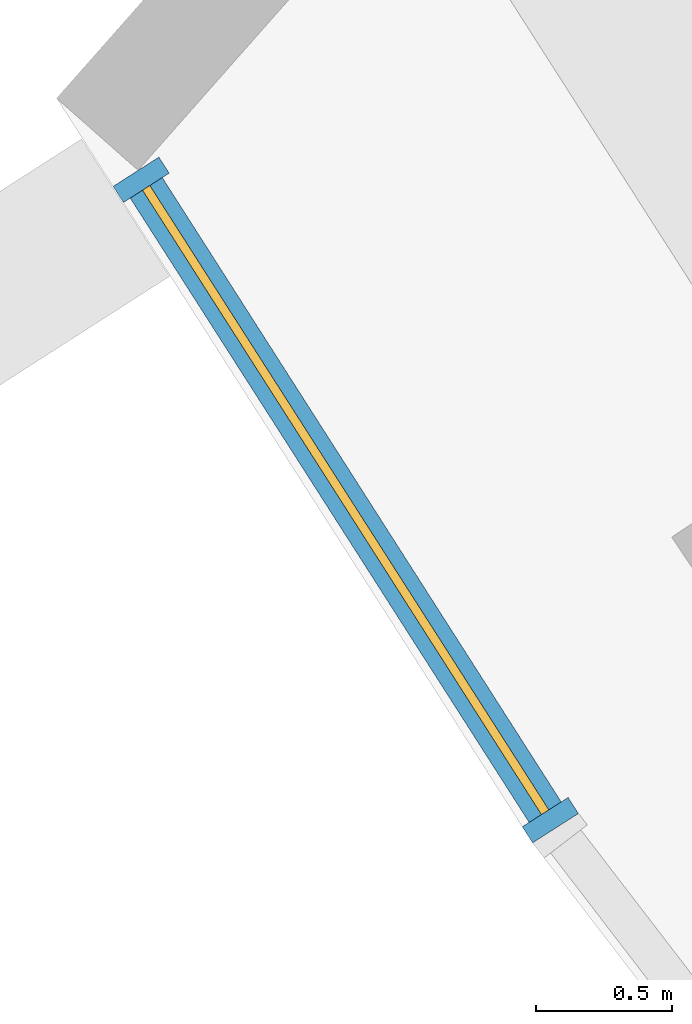
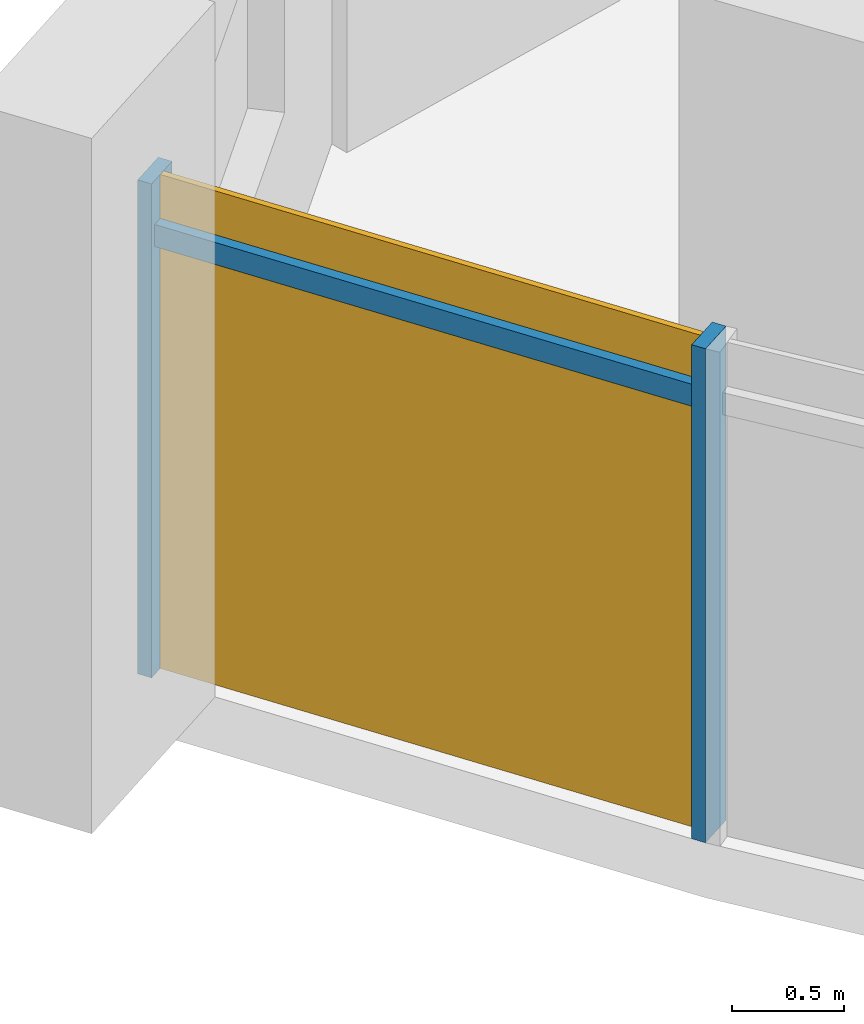
# One storey, part 21 of 31: 3 members, 1 curtain wall.
"""IFC4 building model written with IfcOpenShell, lengths in metres."""

from ifc_helpers import new_model, si_unit, direction, frame, origin, origin_2d, place, context, subcontext, project, spatial, rectangle, extrude, material, material_profile, profile_set, type_object, element, aggregate, save


model = new_model("IFC4")

# Units and contexts
model_context = context("Model", 3, precision=1e-05, world=origin(), true_north=direction((0.0, 1.0)))
body_context = subcontext(model_context, "Body", "Model", "MODEL_VIEW")
ifc_project = project(units=[si_unit("LENGTHUNIT", "METRE"), si_unit("AREAUNIT", "SQUARE_METRE"), si_unit("VOLUMEUNIT", "CUBIC_METRE"), si_unit("PLANEANGLEUNIT", "RADIAN"), si_unit("MASSUNIT", "GRAM", prefix="KILO")], contexts=[model_context])

# Member
ifc_material = material(Name="Aluminium 6063-T6 anodised", Category="aluminium")
ifc_material_profile_1 = material_profile(ifc_material, rectangle(XDim=0.199951171875, YDim=0.070068359375, at=origin_2d()))
ifc_profile_set_1 = profile_set([ifc_material_profile_1], Name="Aluminium 6063-T6 anodised")
member_type_1 = type_object("IfcMemberType", Name="Mullion 70 x 200 aluminium", PredefinedType="MULLION", material=ifc_profile_set_1)
site_placement = place(None, origin())
building_placement = place(site_placement, origin())
storey_placement = place(building_placement, frame((0.0, 0.0, 74.699951171875)))
member_1_placement = place(storey_placement, frame((-67.665771484375, -41.813232421875, 0.0), z_axis=(0.0, 0.0, 1.0), x_axis=(0.842628616007, 0.538495139706, 0.0)))
member_1 = element("IfcMember", 1, at=member_1_placement, type_object=member_type_1, Name="e-cw1-L15-out00/M00", PredefinedType="MULLION", context=body_context, shape_type="SweptSolid", body=[
    extrude(rectangle(XDim=0.199951171875, YDim=0.070068359375, at=origin_2d()), origin(), (0.0, 0.0, 1.0), 2.699951171875),
])

member_2_placement = place(storey_placement, frame((-66.1611328125, -44.167724609375, 0.0), z_axis=(0.0, 0.0, 1.0), x_axis=(0.842628616007, 0.538495139706, 0.0)))
member_2 = element("IfcMember", 2, at=member_2_placement, type_object=member_type_1, Name="e-cw1-L15-out00/M01", PredefinedType="MULLION", context=body_context, shape_type="SweptSolid", body=[
    extrude(rectangle(XDim=0.199951171875, YDim=0.070068359375, at=origin_2d()), origin(), (0.0, 0.0, 1.0), 2.699951171875),
])

ifc_material_profile_2 = material_profile(ifc_material, rectangle(XDim=0.139892578125, YDim=0.1201171875, at=origin_2d()))
ifc_profile_set_2 = profile_set([ifc_material_profile_2], Name="Aluminium 6063-T6 anodised")
member_type_2 = type_object("IfcMemberType", Name="Transom 120 x 140 aluminium", PredefinedType="USERDEFINED", material=ifc_profile_set_2)
member_3_placement = place(storey_placement, frame((-67.64697265625, -41.8427734375, 2.400146484375), z_axis=(0.538486497844, -0.842634138663, 0.0), x_axis=(0.842634138663, 0.538486497844, 0.0)))
member_3 = element("IfcMember", 3, at=member_3_placement, type_object=member_type_2, Name="e-cw1-L15-out00/T00", ObjectType="TRANSOM", PredefinedType="USERDEFINED", context=body_context, shape_type="SweptSolid", body=[
    extrude(rectangle(XDim=0.139892578125, YDim=0.1201171875, at=origin_2d()), origin(), (0.0, 0.0, 1.0), 2.724365234375),
])

# Site, building, storey
site = spatial("IfcSite", under=ifc_project, at=site_placement, CompositionType="ELEMENT")
building = spatial("IfcBuilding", under=site, at=building_placement, Name="Qamariyya Broadcast Tower", CompositionType="ELEMENT")
storey = spatial("IfcBuildingStorey", under=building, at=storey_placement, Name="L15", CompositionType="ELEMENT", Elevation=74.699951171875)

# Curtain wall
curtain_wall_type = type_object("IfcCurtainWallType", Name="Unitised curtain wall, anodised aluminium", PredefinedType="NOTDEFINED", material=ifc_material)
curtain_wall_placement = place(storey_placement, origin())
curtain_wall = element("IfcCurtainWall", 4, at=curtain_wall_placement, inside=storey, type_object=curtain_wall_type, Name="e-cw1-L15-out00", PredefinedType="NOTDEFINED", context=body_context, shape_type="SweptSolid", body=[
    extrude(rectangle(XDim=2.72412109375, YDim=0.031982421875, at=origin_2d()), frame((-66.91357421875, -42.99072265625, 0.0), x_axis=(0.538485120354, -0.842635018948, 0.0)), (0.0, 0.0, 1.0), 2.340087890625),
    extrude(rectangle(XDim=2.72412109375, YDim=0.031982421875, at=origin_2d()), frame((-66.91357421875, -42.99072265625, 2.4599609375), x_axis=(0.538485120354, -0.842635018948, 0.0)), (0.0, 0.0, 1.0), 0.239990234375),
])

aggregate(curtain_wall, [member_1, member_2, member_3])

save(model, "model.ifc")
